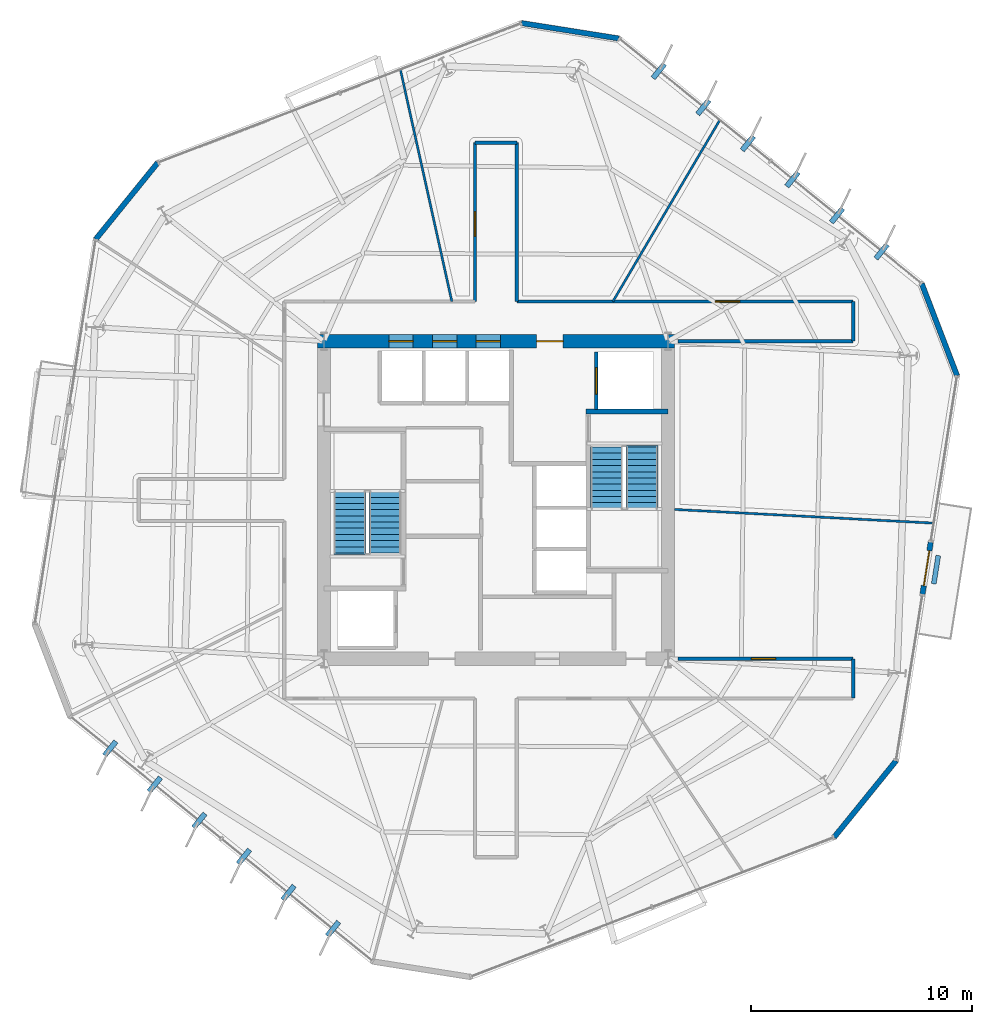
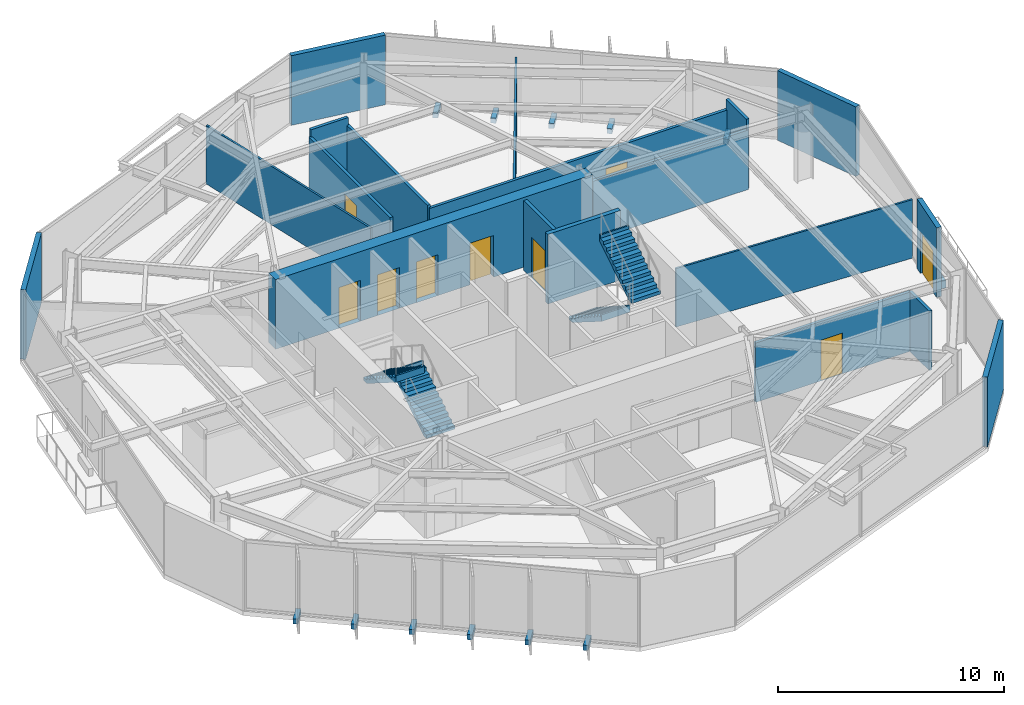
# One storey, part 8 of 11: 20 walls, 12 discrete accessories, 9 doors, 4 stair flights, 9 openings, 2 elements without a shape of their own.
"""IFC4 building model written with IfcOpenShell, lengths in metres."""

from ifc_helpers import new_model, si_unit, direction, frame, frame_2d, origin, origin_2d, place, context, subcontext, project, spatial, polyline, rectangle, outline, extrude, material, layer, layer_set, type_object, element, fill, aggregate, save


model = new_model("IFC4")

# Units and contexts
model_context = context("Model", 3, precision=1e-05, world=origin(), true_north=direction((0.0, 1.0)))
body_context = subcontext(model_context, "Body", "Model", "MODEL_VIEW")
ifc_project = project(units=[si_unit("LENGTHUNIT", "METRE"), si_unit("AREAUNIT", "SQUARE_METRE"), si_unit("VOLUMEUNIT", "CUBIC_METRE"), si_unit("PLANEANGLEUNIT", "RADIAN"), si_unit("MASSUNIT", "GRAM", prefix="KILO")], contexts=[model_context])

# Site, building, storey
site_placement = place(None, origin())
site = spatial("IfcSite", under=ifc_project, at=site_placement, CompositionType="ELEMENT")
building_placement = place(site_placement, origin())
building = spatial("IfcBuilding", under=site, at=building_placement, Name="Kranzbogen Civic Tower", CompositionType="ELEMENT")
storey_placement = place(building_placement, frame((0.0, 0.0, 106.39990234375)))
storey = spatial("IfcBuildingStorey", under=building, at=storey_placement, Name="L25", CompositionType="ELEMENT", Elevation=106.39990234375)

# Wall, opening, door
ifc_material_1 = material(Name="Double-Stud Acoustic Gypsum Partition")
ifc_layer_1 = layer(ifc_material_1, 0.14990234375, Name="Double-Stud Acoustic Gypsum Partition")
ifc_layer_set_1 = layer_set([ifc_layer_1], Name="Double-Stud Acoustic Gypsum Partition")
wall_type_1 = type_object("IfcWallType", Name="Acoustic Corridor and Clinical Partition 150 mm", PredefinedType="PARTITIONING", material=ifc_layer_set_1)
wall_1_placement = place(storey_placement, frame((24.050048828125, 34.0, 0.0), z_axis=(0.0, 0.0, 1.0), x_axis=(0.0, 1.0, 0.0)))
wall_1 = element("IfcWall", 1, at=wall_1_placement, inside=storey, type_object=wall_type_1, Name="L25 corridor partition 11", PredefinedType="PARTITIONING", context=body_context, shape_type="SweptSolid", body=[
    extrude(rectangle(XDim=7.199951171875, YDim=0.14990234375, at=frame_2d((3.60009765625, 0.0))), origin(), (0.0, 0.0, 1.0), 3.360107421875),
])
opening_1_placement = place(wall_1_placement, frame((2.9619140625, 0.0, 0.0)))
opening_1 = element("IfcOpeningElement", 2, at=opening_1_placement, cuts=wall_1, Name="Opening D-COR60", PredefinedType="OPENING", context=body_context, shape_type="SweptSolid", body=[
    extrude(rectangle(XDim=1.10009765625, YDim=2.199951171875, at=frame_2d((0.550048828125, 1.10009765625))), frame((0.0, 0.0849609375, 0.0), z_axis=(0.0, -1.0, 0.0), x_axis=(1.0, 0.0, 0.0)), (0.0, 0.0, 1.0), 0.169921875),
])
ifc_material_2 = material(Name="Oak Timber and Fire Core", Category="wood")
door_type_1 = type_object("IfcDoorType", Name="Corridor Acoustic Fire Door 1100x2200", OperationType="NOTDEFINED", PredefinedType="DOOR", material=ifc_material_2)
door_1_placement = place(opening_1_placement, origin())
door_1 = element("IfcDoor", 3, at=door_1_placement, inside=storey, type_object=door_type_1, Name="L25 Executive Research Study door", OperationType="SINGLE_SWING_RIGHT", OverallHeight=2.199951171875, OverallWidth=1.10009765625, PredefinedType="DOOR", context=body_context, shape_type="SweptSolid", body=[
    extrude(rectangle(XDim=1.10009765625, YDim=2.199951171875, at=frame_2d((0.550048828125, 1.10009765625))), frame((0.0, 0.02490234375, 0.0), z_axis=(0.0, -1.0, 0.0), x_axis=(1.0, 0.0, 0.0)), (0.0, 0.0, 1.0), 0.050048828125),
])
fill(opening_1, door_1)

# Walls
wall_2_placement = place(storey_placement, frame((24.050048828125, 41.199951171875, 0.0), z_axis=(0.0, 0.0, 1.0), x_axis=(1.0, 0.0, 0.0)))
element("IfcWall", 4, at=wall_2_placement, inside=storey, type_object=wall_type_1, Name="L25 corridor partition 12", PredefinedType="PARTITIONING", context=body_context, shape_type="SweptSolid", body=[
    extrude(rectangle(XDim=1.89990234375, YDim=0.14990234375, at=frame_2d((0.949951171875, 0.0))), origin(), (0.0, 0.0, 1.0), 3.760009765625),
])
wall_3_placement = place(storey_placement, frame((25.949951171875, 41.199951171875, 0.0), z_axis=(0.0, 0.0, 1.0), x_axis=(0.0, -1.0, 0.0)))
element("IfcWall", 5, at=wall_3_placement, inside=storey, type_object=wall_type_1, Name="L25 corridor partition 13", PredefinedType="PARTITIONING", context=body_context, shape_type="SweptSolid", body=[
    extrude(rectangle(XDim=7.199951171875, YDim=0.14990234375, at=frame_2d((3.60009765625, 0.0))), origin(), (0.0, 0.0, 1.0), 3.360107421875),
])

# Wall, opening, door
wall_4_placement = place(storey_placement, frame((25.949951171875, 34.0, 0.0), z_axis=(0.0, 0.0, 1.0), x_axis=(1.0, 0.0, 0.0)))
wall_4 = element("IfcWall", 6, at=wall_4_placement, inside=storey, type_object=wall_type_1, Name="L25 corridor partition 14", PredefinedType="PARTITIONING", context=body_context, shape_type="SweptSolid", body=[
    extrude(rectangle(XDim=15.25, YDim=0.14990234375, at=frame_2d((7.625, 0.0))), origin(), (0.0, 0.0, 1.0), 3.210205078125),
])
opening_2_placement = place(wall_4_placement, frame((9.00390625, 0.0, 0.0)))
opening_2 = element("IfcOpeningElement", 7, at=opening_2_placement, cuts=wall_4, Name="Opening D-COR60", PredefinedType="OPENING", context=body_context, shape_type="SweptSolid", body=[
    extrude(rectangle(XDim=1.10009765625, YDim=2.199951171875, at=frame_2d((0.550048828125, 1.10009765625))), frame((0.0, 0.0849609375, 0.0), z_axis=(0.0, -1.0, 0.0), x_axis=(1.0, 0.0, 0.0)), (0.0, 0.0, 1.0), 0.169921875),
])
door_2_placement = place(opening_2_placement, origin())
door_2 = element("IfcDoor", 8, at=door_2_placement, inside=storey, type_object=door_type_1, Name="L25 Policy Seminar Room door", OperationType="SINGLE_SWING_RIGHT", OverallHeight=2.199951171875, OverallWidth=1.10009765625, PredefinedType="DOOR", context=body_context, shape_type="SweptSolid", body=[
    extrude(rectangle(XDim=1.10009765625, YDim=2.199951171875, at=frame_2d((0.550048828125, 1.10009765625))), frame((0.0, 0.02490234375, 0.0), z_axis=(0.0, -1.0, 0.0), x_axis=(1.0, 0.0, 0.0)), (0.0, 0.0, 1.0), 0.050048828125),
])
fill(opening_2, door_2)

# Walls
wall_5_placement = place(storey_placement, frame((41.199951171875, 34.0, 0.0), z_axis=(0.0, 0.0, 1.0), x_axis=(0.0, -1.0, 0.0)))
element("IfcWall", 9, at=wall_5_placement, inside=storey, type_object=wall_type_1, Name="L25 corridor partition 15", PredefinedType="PARTITIONING", context=body_context, shape_type="SweptSolid", body=[
    extrude(rectangle(XDim=1.800048828125, YDim=0.14990234375, at=frame_2d((0.89990234375, 0.0))), origin(), (0.0, 0.0, 1.0), 3.760009765625),
])
wall_6_placement = place(storey_placement, frame((41.199951171875, 32.199951171875, 0.0), z_axis=(0.0, 0.0, 1.0), x_axis=(-1.0, 0.0, 0.0)))
element("IfcWall", 10, at=wall_6_placement, inside=storey, type_object=wall_type_1, Name="L25 corridor partition 16", PredefinedType="PARTITIONING", context=body_context, shape_type="SweptSolid", body=[
    extrude(rectangle(XDim=7.952880859375, YDim=0.14990234375, at=frame_2d((3.9765625, 0.0))), origin(), (0.0, 0.0, 1.0), 3.210205078125),
])

# Wall, opening, door
wall_7_placement = place(storey_placement, frame((33.2470703125, 17.800048828125, 0.0), z_axis=(0.0, 0.0, 1.0), x_axis=(1.0, 0.0, 0.0)))
wall_7 = element("IfcWall", 11, at=wall_7_placement, inside=storey, type_object=wall_type_1, Name="L25 corridor partition 17", PredefinedType="PARTITIONING", context=body_context, shape_type="SweptSolid", body=[
    extrude(rectangle(XDim=7.952880859375, YDim=0.14990234375, at=frame_2d((3.9765625, 0.0))), origin(), (0.0, 0.0, 1.0), 3.210205078125),
])
opening_3_placement = place(wall_7_placement, frame((3.337890625, 0.0, 0.0)))
opening_3 = element("IfcOpeningElement", 12, at=opening_3_placement, cuts=wall_7, Name="Opening D-COR60", PredefinedType="OPENING", context=body_context, shape_type="SweptSolid", body=[
    extrude(rectangle(XDim=1.10009765625, YDim=2.199951171875, at=frame_2d((0.550048828125, 1.10009765625))), frame((0.0, 0.0849609375, 0.0), z_axis=(0.0, -1.0, 0.0), x_axis=(1.0, 0.0, 0.0)), (0.0, 0.0, 1.0), 0.169921875),
])
door_3_placement = place(opening_3_placement, origin())
door_3 = element("IfcDoor", 13, at=door_3_placement, inside=storey, type_object=door_type_1, Name="L25 Delegates Sitting Lounge door", OperationType="SINGLE_SWING_LEFT", OverallHeight=2.199951171875, OverallWidth=1.10009765625, PredefinedType="DOOR", context=body_context, shape_type="SweptSolid", body=[
    extrude(rectangle(XDim=1.10009765625, YDim=2.199951171875, at=frame_2d((0.550048828125, 1.10009765625))), frame((0.0, 0.02490234375, 0.0), z_axis=(0.0, -1.0, 0.0), x_axis=(1.0, 0.0, 0.0)), (0.0, 0.0, 1.0), 0.050048828125),
])
fill(opening_3, door_3)

# Walls
wall_8_placement = place(storey_placement, frame((41.199951171875, 17.800048828125, 0.0), z_axis=(0.0, 0.0, 1.0), x_axis=(0.0, -1.0, 0.0)))
element("IfcWall", 14, at=wall_8_placement, inside=storey, type_object=wall_type_1, Name="L25 corridor partition 18", PredefinedType="PARTITIONING", context=body_context, shape_type="SweptSolid", body=[
    extrude(rectangle(XDim=1.778076171875, YDim=0.14990234375, at=frame_2d((0.88916015625, 0.0))), origin(), (0.0, 0.0, 1.0), 3.210205078125),
])
ifc_material_3 = material(Name="Architectural Precast Terracotta Concrete C40/50", Category="masonry")
ifc_layer_2 = layer(ifc_material_3, 0.219970703125, Name="Architectural Precast Terracotta Concrete C40/50")
ifc_layer_set_2 = layer_set([ifc_layer_2], Name="Architectural Precast Terracotta Concrete C40/50")
wall_type_2 = type_object("IfcWallType", Name="Architectural Tree Planter Kerb Wall 220 mm", PredefinedType="USERDEFINED", material=ifc_layer_set_2)
wall_9_placement = place(storey_placement, frame((44.85400390625, 21.197021484375, 0.0), z_axis=(0.0, 0.0, 1.0), x_axis=(0.156994330722, 0.987599503909, 0.0)))
element("IfcWall", 15, at=wall_9_placement, inside=storey, type_object=wall_type_2, Name="L25 landscaped tree balcony planter L25-TB1", ObjectType="PLANTER_WALL", PredefinedType="USERDEFINED", context=body_context, shape_type="SweptSolid", body=[
    extrude(rectangle(XDim=1.300048828125, YDim=0.219970703125, at=frame_2d((0.64990234375, 0.0))), origin(), (0.0, 0.0, 1.0), 0.400146484375),
])

# Wall, openings, doors
ifc_material_4 = material(Name="Concrete C55/67", Category="concrete")
ifc_layer_3 = layer(ifc_material_4, 0.60009765625, Name="Concrete C55/67")
ifc_layer_set_3 = layer_set([ifc_layer_3], Name="Concrete C55/67")
wall_type_3 = type_object("IfcWallType", Name="Central Core Shear Wall 600 mm", PredefinedType="SHEAR", material=ifc_layer_set_3)
wall_10_placement = place(storey_placement, frame((33.10009765625, 32.199951171875, 0.0), z_axis=(0.0, 0.0, 1.0), x_axis=(-1.0, 0.0, 0.0)))
wall_10 = element("IfcWall", 16, at=wall_10_placement, inside=storey, type_object=wall_type_3, Name="L25 central core North shear wall", PredefinedType="SHEAR", context=body_context, shape_type="SweptSolid", body=[
    extrude(rectangle(XDim=16.2001953125, YDim=0.60009765625, at=frame_2d((8.10009765625, 0.0))), origin(), (0.0, 0.0, 1.0), 3.760009765625),
])
opening_4_placement = place(wall_10_placement, frame((5.050048828125, 0.0, 0.0)))
opening_4 = element("IfcOpeningElement", 17, at=opening_4_placement, cuts=wall_10, Name="Opening D-EX120", PredefinedType="OPENING", context=body_context, shape_type="SweptSolid", body=[
    extrude(rectangle(XDim=1.199951171875, YDim=2.25, at=frame_2d((0.60009765625, 1.125))), frame((0.0, 0.31005859375, 0.0), z_axis=(0.0, -1.0, 0.0), x_axis=(1.0, 0.0, 0.0)), (0.0, 0.0, 1.0), 0.6201171875),
])
opening_5_placement = place(wall_10_placement, frame((11.85009765625, 0.0, 0.0)))
opening_5 = element("IfcOpeningElement", 18, at=opening_5_placement, cuts=wall_10, Name="Opening LD-MP-01", PredefinedType="OPENING", context=body_context, shape_type="SweptSolid", body=[
    extrude(rectangle(XDim=1.10009765625, YDim=2.199951171875, at=frame_2d((0.550048828125, 1.10009765625))), frame((0.0, 0.31005859375, 0.0), z_axis=(0.0, -1.0, 0.0), x_axis=(1.0, 0.0, 0.0)), (0.0, 0.0, 1.0), 0.6201171875),
])
opening_6_placement = place(wall_10_placement, frame((9.875, 0.0, 0.0)))
opening_6 = element("IfcOpeningElement", 19, at=opening_6_placement, cuts=wall_10, Name="Opening LD-MP-02", PredefinedType="OPENING", context=body_context, shape_type="SweptSolid", body=[
    extrude(rectangle(XDim=1.10009765625, YDim=2.199951171875, at=frame_2d((0.550048828125, 1.10009765625))), frame((0.0, 0.31005859375, 0.0), z_axis=(0.0, -1.0, 0.0), x_axis=(1.0, 0.0, 0.0)), (0.0, 0.0, 1.0), 0.6201171875),
])
opening_7_placement = place(wall_10_placement, frame((7.89990234375, 0.0, 0.0)))
opening_7 = element("IfcOpeningElement", 20, at=opening_7_placement, cuts=wall_10, Name="Opening LD-MP-03", PredefinedType="OPENING", context=body_context, shape_type="SweptSolid", body=[
    extrude(rectangle(XDim=1.10009765625, YDim=2.199951171875, at=frame_2d((0.550048828125, 1.10009765625))), frame((0.0, 0.31005859375, 0.0), z_axis=(0.0, -1.0, 0.0), x_axis=(1.0, 0.0, 0.0)), (0.0, 0.0, 1.0), 0.6201171875),
])
ifc_material_5 = material(Name="Steel S355", Category="steel")
door_type_2 = type_object("IfcDoorType", Name="Exit Passageway Fire Door 1200x2250", OperationType="NOTDEFINED", PredefinedType="DOOR", material=ifc_material_5)
door_4_placement = place(opening_4_placement, origin())
door_4 = element("IfcDoor", 21, at=door_4_placement, inside=storey, type_object=door_type_2, Name="L25 East firefighting lobby corridor door", OperationType="SINGLE_SWING_LEFT", OverallHeight=2.25, OverallWidth=1.199951171875, PredefinedType="DOOR", context=body_context, shape_type="SweptSolid", body=[
    extrude(rectangle(XDim=1.199951171875, YDim=2.25, at=frame_2d((0.60009765625, 1.125))), frame((0.0, 0.02490234375, 0.0), z_axis=(0.0, -1.0, 0.0), x_axis=(1.0, 0.0, 0.0)), (0.0, 0.0, 1.0), 0.050048828125),
])
fill(opening_4, door_4)
ifc_material_6 = material(Name="Pale Anodised Aluminium", Category="aluminium")
door_type_3 = type_object("IfcDoorType", Name="Passenger Lift Sliding Landing Door 1100x2200", OperationType="DOUBLE_DOOR_SLIDING", PredefinedType="DOOR", material=ifc_material_6)
door_5_placement = place(opening_5_placement, origin())
door_5 = element("IfcDoor", 22, at=door_5_placement, inside=storey, type_object=door_type_3, Name="L25 lift MP-01 sliding landing door", OperationType="DOUBLE_DOOR_SLIDING", OverallHeight=2.199951171875, OverallWidth=1.10009765625, PredefinedType="DOOR", context=body_context, shape_type="SweptSolid", body=[
    extrude(rectangle(XDim=1.10009765625, YDim=2.199951171875, at=frame_2d((0.550048828125, 1.10009765625))), frame((0.0, 0.02490234375, 0.0), z_axis=(0.0, -1.0, 0.0), x_axis=(1.0, 0.0, 0.0)), (0.0, 0.0, 1.0), 0.050048828125),
])
fill(opening_5, door_5)
door_6_placement = place(opening_6_placement, origin())
door_6 = element("IfcDoor", 23, at=door_6_placement, inside=storey, type_object=door_type_3, Name="L25 lift MP-02 sliding landing door", OperationType="DOUBLE_DOOR_SLIDING", OverallHeight=2.199951171875, OverallWidth=1.10009765625, PredefinedType="DOOR", context=body_context, shape_type="SweptSolid", body=[
    extrude(rectangle(XDim=1.10009765625, YDim=2.199951171875, at=frame_2d((0.550048828125, 1.10009765625))), frame((0.0, 0.02490234375, 0.0), z_axis=(0.0, -1.0, 0.0), x_axis=(1.0, 0.0, 0.0)), (0.0, 0.0, 1.0), 0.050048828125),
])
fill(opening_6, door_6)
door_7_placement = place(opening_7_placement, origin())
door_7 = element("IfcDoor", 24, at=door_7_placement, inside=storey, type_object=door_type_3, Name="L25 lift MP-03 sliding landing door", OperationType="DOUBLE_DOOR_SLIDING", OverallHeight=2.199951171875, OverallWidth=1.10009765625, PredefinedType="DOOR", context=body_context, shape_type="SweptSolid", body=[
    extrude(rectangle(XDim=1.10009765625, YDim=2.199951171875, at=frame_2d((0.550048828125, 1.10009765625))), frame((0.0, 0.02490234375, 0.0), z_axis=(0.0, -1.0, 0.0), x_axis=(1.0, 0.0, 0.0)), (0.0, 0.0, 1.0), 0.050048828125),
])
fill(opening_7, door_7)

# Walls
ifc_material_7 = material(Name="Concrete C45/55", Category="concrete")
ifc_layer_4 = layer(ifc_material_7, 0.219970703125, Name="Concrete C45/55")
ifc_layer_set_4 = layer_set([ifc_layer_4], Name="Concrete C45/55")
wall_type_4 = type_object("IfcWallType", Name="Core Internal Stair Structural Wall 220 mm", PredefinedType="SOLIDWALL", material=ifc_layer_set_4)
wall_11_placement = place(storey_placement, frame((29.080078125, 29.010009765625, 0.0), z_axis=(0.0, 0.0, 1.0), x_axis=(1.0, 0.0, 0.0)))
element("IfcWall", 25, at=wall_11_placement, inside=storey, type_object=wall_type_4, Name="L25 ST-T2 North structural stair wall", PredefinedType="SOLIDWALL", context=body_context, shape_type="SweptSolid", body=[
    extrude(rectangle(XDim=3.719970703125, YDim=0.219970703125, at=frame_2d((1.85986328125, 0.0))), origin(), (0.0, 0.0, 1.0), 3.760009765625),
])
ifc_material_8 = material(Name="Demountable Aluminium and Gypsum Partition", Category="aluminium")
ifc_layer_5 = layer(ifc_material_8, 0.10009765625, Name="Demountable Aluminium and Gypsum Partition")
ifc_layer_set_5 = layer_set([ifc_layer_5], Name="Demountable Aluminium and Gypsum Partition")
wall_type_5 = type_object("IfcWallType", Name="Demountable Office Partition 100 mm", PredefinedType="MOVABLE", material=ifc_layer_set_5)
wall_12_placement = place(storey_placement, frame((30.303955078125, 34.0, 0.0), z_axis=(0.0, 0.0, 1.0), x_axis=(0.507715403699, 0.861524850975, 0.0)))
element("IfcWall", 26, at=wall_12_placement, inside=storey, type_object=wall_type_5, Name="L25 radial room partition 01", PredefinedType="MOVABLE", context=body_context, shape_type="SweptSolid", body=[
    extrude(rectangle(XDim=9.52734375, YDim=0.10009765625, at=frame_2d((4.763671875, 0.0))), origin(), (0.0, 0.0, 1.0), 3.16015625),
])
wall_13_placement = place(storey_placement, frame((23.0029296875, 34.0, 0.0), z_axis=(0.0, 0.0, 1.0), x_axis=(-0.216620399742, 0.97625591031, 0.0)))
element("IfcWall", 27, at=wall_13_placement, inside=storey, type_object=wall_type_5, Name="L25 radial room partition 02", PredefinedType="MOVABLE", context=body_context, shape_type="SweptSolid", body=[
    extrude(rectangle(XDim=10.75537109375, YDim=0.10009765625, at=frame_2d((5.377685546875, 0.0))), origin(), (0.0, 0.0, 1.0), 3.16015625),
])
wall_14_placement = place(storey_placement, frame((33.10009765625, 24.572021484375, 0.0), z_axis=(0.0, 0.0, 1.0), x_axis=(0.998606672966, -0.052770377176, 0.0)))
element("IfcWall", 28, at=wall_14_placement, inside=storey, type_object=wall_type_5, Name="L25 radial room partition 07", PredefinedType="MOVABLE", context=body_context, shape_type="SweptSolid", body=[
    extrude(rectangle(XDim=11.751220703125, YDim=0.10009765625, at=frame_2d((5.87548828125, 0.0))), origin(), (0.0, 0.0, 1.0), 3.16015625),
])

# Wall, opening, door
ifc_material_9 = material(Name="Gypsum Fireboard Shaftliner")
ifc_layer_6 = layer(ifc_material_9, 0.175048828125, Name="Gypsum Fireboard Shaftliner")
ifc_layer_set_6 = layer_set([ifc_layer_6], Name="Gypsum Fireboard Shaftliner")
wall_type_6 = type_object("IfcWallType", Name="Fire-Rated Lift and Service Shaft Wall 175 mm", PredefinedType="PARTITIONING", material=ifc_layer_set_6)
wall_15_placement = place(storey_placement, frame((29.550048828125, 29.10009765625, 0.0), z_axis=(0.0, 0.0, 1.0), x_axis=(0.0, 1.0, 0.0)))
wall_15 = element("IfcWall", 29, at=wall_15_placement, inside=storey, type_object=wall_type_6, Name="L25 lift FF-02 landing wall", PredefinedType="PARTITIONING", context=body_context, shape_type="SweptSolid", body=[
    extrude(rectangle(XDim=2.599853515625, YDim=0.175048828125, at=frame_2d((1.2998046875, 0.0))), origin(), (0.0, 0.0, 1.0), 3.760009765625),
])
opening_8_placement = place(wall_15_placement, frame((0.699951171875, 0.0, 0.0)))
opening_8 = element("IfcOpeningElement", 30, at=opening_8_placement, cuts=wall_15, Name="Opening LD-FF-02", PredefinedType="OPENING", context=body_context, shape_type="SweptSolid", body=[
    extrude(rectangle(XDim=1.199951171875, YDim=2.199951171875, at=frame_2d((0.60009765625, 1.10009765625))), frame((0.0, 0.09765625, 0.0), z_axis=(0.0, -1.0, 0.0), x_axis=(1.0, 0.0, 0.0)), (0.0, 0.0, 1.0), 0.195068359375),
])
door_type_4 = type_object("IfcDoorType", Name="Firefighting and Stretcher Lift Sliding Landing Door 1200x2200", OperationType="DOUBLE_DOOR_SLIDING", PredefinedType="DOOR", material=ifc_material_6)
door_8_placement = place(opening_8_placement, origin())
door_8 = element("IfcDoor", 31, at=door_8_placement, inside=storey, type_object=door_type_4, Name="L25 lift FF-02 sliding landing door", OperationType="DOUBLE_DOOR_SLIDING", OverallHeight=2.199951171875, OverallWidth=1.199951171875, PredefinedType="DOOR", context=body_context, shape_type="SweptSolid", body=[
    extrude(rectangle(XDim=1.199951171875, YDim=2.199951171875, at=frame_2d((0.60009765625, 1.10009765625))), frame((0.0, 0.02490234375, 0.0), z_axis=(0.0, -1.0, 0.0), x_axis=(1.0, 0.0, 0.0)), (0.0, 0.0, 1.0), 0.050048828125),
])
fill(opening_8, door_8)

# Walls
ifc_layer_7 = layer(ifc_material_6, 0.239990234375, Name="Pale Anodised Aluminium")
ifc_layer_set_7 = layer_set([ifc_layer_7], Name="Pale Anodised Aluminium")
wall_type_7 = type_object("IfcWallType", Name="Insulated Aluminium Facade Portal Wall 240 mm", PredefinedType="STANDARD", material=ifc_layer_set_7)
wall_16_placement = place(storey_placement, frame((30.577880859375, 45.926025390625, 0.0), z_axis=(0.0, 0.0, 1.0), x_axis=(-0.987709346229, 0.156301783012, 0.0)))
element("IfcWall", 32, at=wall_16_placement, inside=storey, type_object=wall_type_7, Name="L25 chamfered corner facade spandrel 1", PredefinedType="STANDARD", context=body_context, shape_type="SweptSolid", body=[
    extrude(rectangle(XDim=4.471923828125, YDim=0.239990234375, at=frame_2d((2.23583984375, 0.0))), origin(), (0.0, 0.0, 1.0), 3.760009765625),
])
for number, where, z_axis, x_axis, name in (
    (33, (9.6669921875, 40.29296875, 0.0), (0.0, 0.0, 1.0), (-0.629438558802, -0.777050256221, 0.0), "L25 chamfered corner facade spandrel 2"),
    (34, (40.3330078125, 9.70703125, 0.0), (0.0, 0.0, 1.0), (0.629438558802, 0.777050256221, 0.0), "L25 chamfered corner facade spandrel 5"),
):
    element("IfcWall", number, at=place(storey_placement, frame(where, z_axis=z_axis, x_axis=x_axis)), inside=storey, type_object=wall_type_7, Name=name, PredefinedType="STANDARD", context=body_context, shape_type="SweptSolid", body=[
        extrude(rectangle(XDim=4.470703125, YDim=0.239990234375, at=frame_2d((2.2353515625, 0.0))), origin(), (0.0, 0.0, 1.0), 3.760009765625),
    ])

# Wall, opening, door
wall_17_placement = place(storey_placement, frame((44.341064453125, 20.721923828125, 0.0), z_axis=(0.0, 0.0, 1.0), x_axis=(0.156673033509, 0.987650525526, 0.0)))
wall_17 = element("IfcWall", 35, at=wall_17_placement, inside=storey, type_object=wall_type_7, Name="L25 exterior entrance portal wall 1", PredefinedType="STANDARD", context=body_context, shape_type="SweptSolid", body=[
    extrude(rectangle(XDim=2.399658203125, YDim=0.239990234375, at=frame_2d((1.19970703125, 0.0))), origin(), (0.0, 0.0, 1.0), 3.760009765625),
])
opening_9_placement = place(wall_17_placement, frame((0.39990234375, 0.0, 0.0)))
opening_9 = element("IfcOpeningElement", 36, at=opening_9_placement, cuts=wall_17, Name="Opening D-TER", PredefinedType="OPENING", context=body_context, shape_type="SweptSolid", body=[
    extrude(rectangle(XDim=1.60009765625, YDim=2.25, at=frame_2d((0.800048828125, 1.125))), frame((0.0, 0.1298828125, 0.0), z_axis=(0.0, -1.0, 0.0), x_axis=(1.0, 0.0, 0.0)), (0.0, 0.0, 1.0), 0.260009765625),
])
ifc_material_10 = material(Name="Anodised Bronze and Triple Glass", Category="glass")
door_type_5 = type_object("IfcDoorType", Name="Glazed Terrace and Balcony Double Door 1600x2250", OperationType="DOUBLE_DOOR_SINGLE_SWING", PredefinedType="DOOR", material=ifc_material_10)
door_9_placement = place(opening_9_placement, frame((1.60009765625, 0.0, 0.0), z_axis=(0.0, 0.0, 1.0), x_axis=(-1.0, 0.0, 0.0)))
door_9 = element("IfcDoor", 37, at=door_9_placement, inside=storey, type_object=door_type_5, Name="L25 tree balcony access door L25-TB1", OperationType="DOUBLE_DOOR_SINGLE_SWING", OverallHeight=2.25, OverallWidth=1.60009765625, PredefinedType="DOOR", context=body_context, shape_type="SweptSolid", body=[
    extrude(rectangle(XDim=1.60009765625, YDim=2.25, at=frame_2d((0.800048828125, 1.125))), frame((0.0, 0.02490234375, 0.0), z_axis=(0.0, -1.0, 0.0), x_axis=(1.0, 0.0, 0.0)), (0.0, 0.0, 1.0), 0.050048828125),
])
fill(opening_9, door_9)

# Wall
wall_18_placement = place(storey_placement, frame((45.910888671875, 30.633056640625, 0.0), z_axis=(0.0, 0.0, 1.0), x_axis=(-0.35848504637, 0.933535468811, 0.0)))
element("IfcWall", 38, at=wall_18_placement, inside=storey, type_object=wall_type_7, Name="L25 chamfered corner facade spandrel 6", PredefinedType="STANDARD", context=body_context, shape_type="SweptSolid", body=[
    extrude(rectangle(XDim=4.470947265625, YDim=0.239990234375, at=frame_2d((2.2353515625, 0.0))), origin(), (0.0, 0.0, 1.0), 3.760009765625),
])

# Stair, stair flights
ifc_material_11 = material(Name="Precast concrete C40/50", Category="concrete")
stair_type_1 = type_object("IfcStairType", Name="Tower Core Pressurized Dogleg Stair 1450", PredefinedType="HALF_TURN_STAIR", material=ifc_material_11)
stair_1_placement = place(storey_placement, origin())
stair_1 = element("IfcStair", 39, at=stair_1_placement, inside=storey, type_object=stair_type_1, Name="L25 Tower Core Pressurized Stair 1", PredefinedType="HALF_TURN_STAIR")
stair_flight_type = type_object("IfcStairFlightType", Name="Precast Concrete Stair Flight R180", PredefinedType="STRAIGHT", material=ifc_material_11)
stair_flight_1_placement = place(storey_placement, frame((19.97509765625, 22.60009765625, 0.0), z_axis=(0.0, 0.0, 1.0), x_axis=(0.0, 1.0, 0.0)))
stair_flight_1 = element("IfcStairFlight", 40, at=stair_flight_1_placement, type_object=stair_flight_type, Name="ST-T1 flight 1", NumberOfRisers=11, NumberOfTreads=10, PredefinedType="STRAIGHT", RiserHeight=0.181818182, TreadLength=0.28, context=body_context, shape_type="SweptSolid", body=[
    extrude(outline(polyline([(0.0, 0.0), (0.0, 0.181884765625), (0.280029296875, 0.181884765625), (0.280029296875, 0.363525390625), (0.56005859375, 0.363525390625), (0.56005859375, 0.54541015625), (0.840087890625, 0.54541015625), (0.840087890625, 0.727294921875), (1.1201171875, 0.727294921875), (1.1201171875, 0.9091796875), (1.39990234375, 0.9091796875), (1.39990234375, 1.0908203125), (1.679931640625, 1.0908203125), (1.679931640625, 1.272705078125), (1.9599609375, 1.272705078125), (1.9599609375, 1.45458984375), (2.239990234375, 1.45458984375), (2.239990234375, 1.636474609375), (2.52001953125, 1.636474609375), (2.52001953125, 1.818115234375), (2.800048828125, 1.818115234375), (2.800048828125, 2.0), (2.880126953125, 2.0), (2.880126953125, 1.639404296875), (0.275146484375, 0.0), (0.0, 0.0)])), frame((0.0, 0.72509765625, 0.0), z_axis=(0.0, -1.0, 0.0), x_axis=(1.0, 0.0, 0.0)), (0.0, 0.0, 1.0), 1.449951171875),
])
stair_flight_2_placement = place(storey_placement, frame((18.375, 25.39990234375, 2.0), z_axis=(0.0, 0.0, 1.0), x_axis=(0.0, -1.0, 0.0)))
stair_flight_2 = element("IfcStairFlight", 41, at=stair_flight_2_placement, type_object=stair_flight_type, Name="ST-T1 flight 2", NumberOfRisers=11, NumberOfTreads=10, PredefinedType="STRAIGHT", RiserHeight=0.181818182, TreadLength=0.28, context=body_context, shape_type="SweptSolid", body=[
    extrude(outline(polyline([(0.0, 0.0), (0.0, 0.181884765625), (0.280029296875, 0.181884765625), (0.280029296875, 0.363525390625), (0.56005859375, 0.363525390625), (0.56005859375, 0.54541015625), (0.840087890625, 0.54541015625), (0.840087890625, 0.727294921875), (1.1201171875, 0.727294921875), (1.1201171875, 0.9091796875), (1.39990234375, 0.9091796875), (1.39990234375, 1.0908203125), (1.679931640625, 1.0908203125), (1.679931640625, 1.272705078125), (1.9599609375, 1.272705078125), (1.9599609375, 1.45458984375), (2.239990234375, 1.45458984375), (2.239990234375, 1.636474609375), (2.52001953125, 1.636474609375), (2.52001953125, 1.818115234375), (2.800048828125, 1.818115234375), (2.800048828125, 2.0), (2.880126953125, 2.0), (2.880126953125, 1.639404296875), (0.275146484375, 0.0), (0.0, 0.0)])), frame((0.0, 0.72509765625, 0.0), z_axis=(0.0, -1.0, 0.0), x_axis=(1.0, 0.0, 0.0)), (0.0, 0.0, 1.0), 1.449951171875),
])
aggregate(stair_1, [stair_flight_1, stair_flight_2])

stair_type_2 = type_object("IfcStairType", Name="Tower Core Secondary Dogleg Stair 1450", PredefinedType="HALF_TURN_STAIR", material=ifc_material_11)
stair_2_placement = place(storey_placement, origin())
stair_2 = element("IfcStair", 42, at=stair_2_placement, inside=storey, type_object=stair_type_2, Name="L25 Tower Core Pressurized Stair 2", PredefinedType="HALF_TURN_STAIR")
stair_flight_3_placement = place(storey_placement, frame((30.02490234375, 27.39990234375, 0.0), z_axis=(0.0, 0.0, 1.0), x_axis=(0.0, -1.0, 0.0)))
stair_flight_3 = element("IfcStairFlight", 43, at=stair_flight_3_placement, type_object=stair_flight_type, Name="ST-T2 flight 1", NumberOfRisers=11, NumberOfTreads=10, PredefinedType="STRAIGHT", RiserHeight=0.181818182, TreadLength=0.28, context=body_context, shape_type="SweptSolid", body=[
    extrude(outline(polyline([(0.0, 0.0), (0.0, 0.181884765625), (0.280029296875, 0.181884765625), (0.280029296875, 0.363525390625), (0.56005859375, 0.363525390625), (0.56005859375, 0.54541015625), (0.840087890625, 0.54541015625), (0.840087890625, 0.727294921875), (1.1201171875, 0.727294921875), (1.1201171875, 0.9091796875), (1.39990234375, 0.9091796875), (1.39990234375, 1.0908203125), (1.679931640625, 1.0908203125), (1.679931640625, 1.272705078125), (1.9599609375, 1.272705078125), (1.9599609375, 1.45458984375), (2.239990234375, 1.45458984375), (2.239990234375, 1.636474609375), (2.52001953125, 1.636474609375), (2.52001953125, 1.818115234375), (2.800048828125, 1.818115234375), (2.800048828125, 2.0), (2.880126953125, 2.0), (2.880126953125, 1.639404296875), (0.275146484375, 0.0), (0.0, 0.0)])), frame((0.0, 0.72509765625, 0.0), z_axis=(0.0, -1.0, 0.0), x_axis=(1.0, 0.0, 0.0)), (0.0, 0.0, 1.0), 1.449951171875),
])
stair_flight_4_placement = place(storey_placement, frame((31.625, 24.60009765625, 2.0), z_axis=(0.0, 0.0, 1.0), x_axis=(0.0, 1.0, 0.0)))
stair_flight_4 = element("IfcStairFlight", 44, at=stair_flight_4_placement, type_object=stair_flight_type, Name="ST-T2 flight 2", NumberOfRisers=11, NumberOfTreads=10, PredefinedType="STRAIGHT", RiserHeight=0.181818182, TreadLength=0.28, context=body_context, shape_type="SweptSolid", body=[
    extrude(outline(polyline([(0.0, 0.0), (0.0, 0.181884765625), (0.280029296875, 0.181884765625), (0.280029296875, 0.363525390625), (0.56005859375, 0.363525390625), (0.56005859375, 0.54541015625), (0.840087890625, 0.54541015625), (0.840087890625, 0.727294921875), (1.1201171875, 0.727294921875), (1.1201171875, 0.9091796875), (1.39990234375, 0.9091796875), (1.39990234375, 1.0908203125), (1.679931640625, 1.0908203125), (1.679931640625, 1.272705078125), (1.9599609375, 1.272705078125), (1.9599609375, 1.45458984375), (2.239990234375, 1.45458984375), (2.239990234375, 1.636474609375), (2.52001953125, 1.636474609375), (2.52001953125, 1.818115234375), (2.800048828125, 1.818115234375), (2.800048828125, 2.0), (2.880126953125, 2.0), (2.880126953125, 1.639404296875), (0.275146484375, 0.0), (0.0, 0.0)])), frame((0.0, 0.72509765625, 0.0), z_axis=(0.0, -1.0, 0.0), x_axis=(1.0, 0.0, 0.0)), (0.0, 0.0, 1.0), 1.449951171875),
])
aggregate(stair_2, [stair_flight_3, stair_flight_4])

# Discrete accessories
discrete_accessory_type = type_object("IfcDiscreteAccessoryType", Name="Structural Curtain-Wall Fin Support Bracket", PredefinedType="BRACKET", material=ifc_material_5)
for number, where, z_axis, x_axis, name in (
    (45, (42.487060546875, 36.26611328125, -0.25), (0.0, 0.0, 1.0), (0.62932039105, 0.777145961457, 0.0), "L25 facade fin support bracket F1-1"),
    (46, (40.466064453125, 37.902099609375, -0.25), (0.0, 0.0, 1.0), (0.62932039105, 0.777145961457, 0.0), "L25 facade fin support bracket F1-2"),
    (47, (38.446044921875, 39.5390625, -0.25), (0.0, 0.0, 1.0), (0.62932039105, 0.777145961457, 0.0), "L25 facade fin support bracket F1-3"),
    (48, (36.425048828125, 41.175048828125, -0.25), (0.0, 0.0, 1.0), (0.62932039105, 0.777145961457, 0.0), "L25 facade fin support bracket F1-4"),
    (49, (34.405029296875, 42.81103515625, -0.25), (0.0, 0.0, 1.0), (0.62932039105, 0.777145961457, 0.0), "L25 facade fin support bracket F1-5"),
    (50, (32.384033203125, 44.447021484375, -0.25), (0.0, 0.0, 1.0), (0.62932039105, 0.777145961457, 0.0), "L25 facade fin support bracket F1-6"),
    (51, (7.512939453125, 13.73388671875, -0.25), (0.0, 0.0, 1.0), (-0.62932039105, -0.777145961457, 0.0), "L25 facade fin support bracket F4-1"),
    (52, (9.533935546875, 12.097900390625, -0.25), (0.0, 0.0, 1.0), (-0.62932039105, -0.777145961457, 0.0), "L25 facade fin support bracket F4-2"),
    (53, (11.553955078125, 10.4609375, -0.25), (0.0, 0.0, 1.0), (-0.62932039105, -0.777145961457, 0.0), "L25 facade fin support bracket F4-3"),
    (54, (13.574951171875, 8.824951171875, -0.25), (0.0, 0.0, 1.0), (-0.62932039105, -0.777145961457, 0.0), "L25 facade fin support bracket F4-4"),
    (55, (15.594970703125, 7.18896484375, -0.25), (0.0, 0.0, 1.0), (-0.62932039105, -0.777145961457, 0.0), "L25 facade fin support bracket F4-5"),
    (56, (17.615966796875, 5.552978515625, -0.25), (0.0, 0.0, 1.0), (-0.62932039105, -0.777145961457, 0.0), "L25 facade fin support bracket F4-6"),
):
    element("IfcDiscreteAccessory", number, at=place(storey_placement, frame(where, z_axis=z_axis, x_axis=x_axis)), inside=storey, type_object=discrete_accessory_type, Name=name, PredefinedType="BRACKET", context=body_context, shape_type="SweptSolid", body=[
        extrude(rectangle(XDim=0.820068359375, YDim=0.239990234375, at=origin_2d()), origin(), (0.0, 0.0, 1.0), 0.280029296875),
    ])

save(model, "model.ifc")
